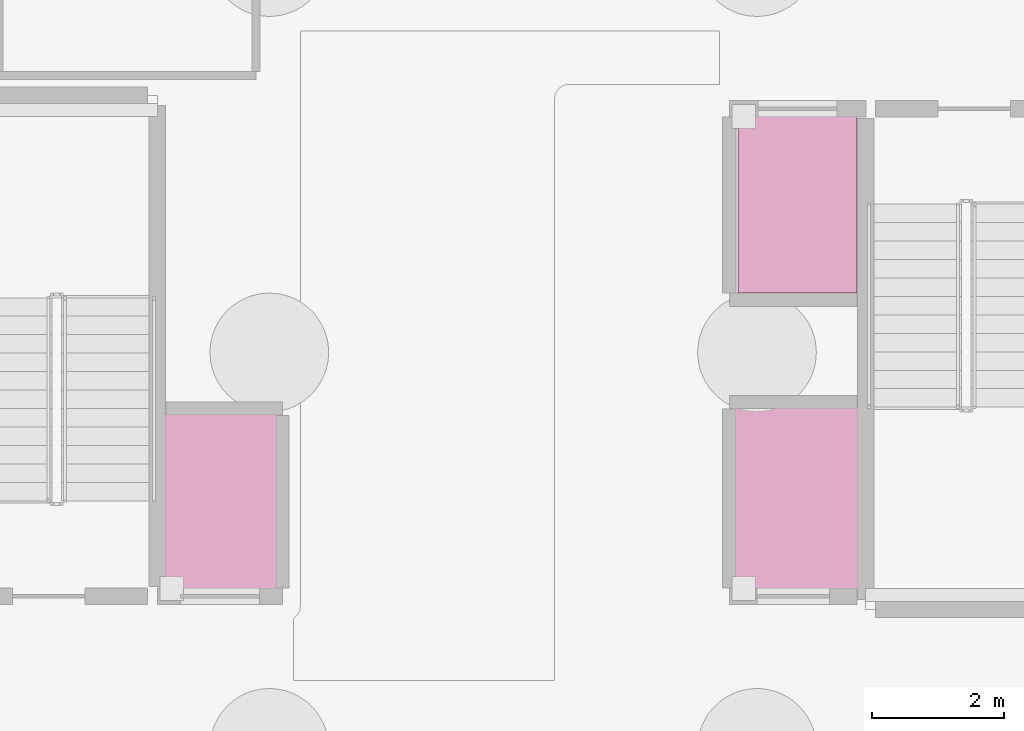
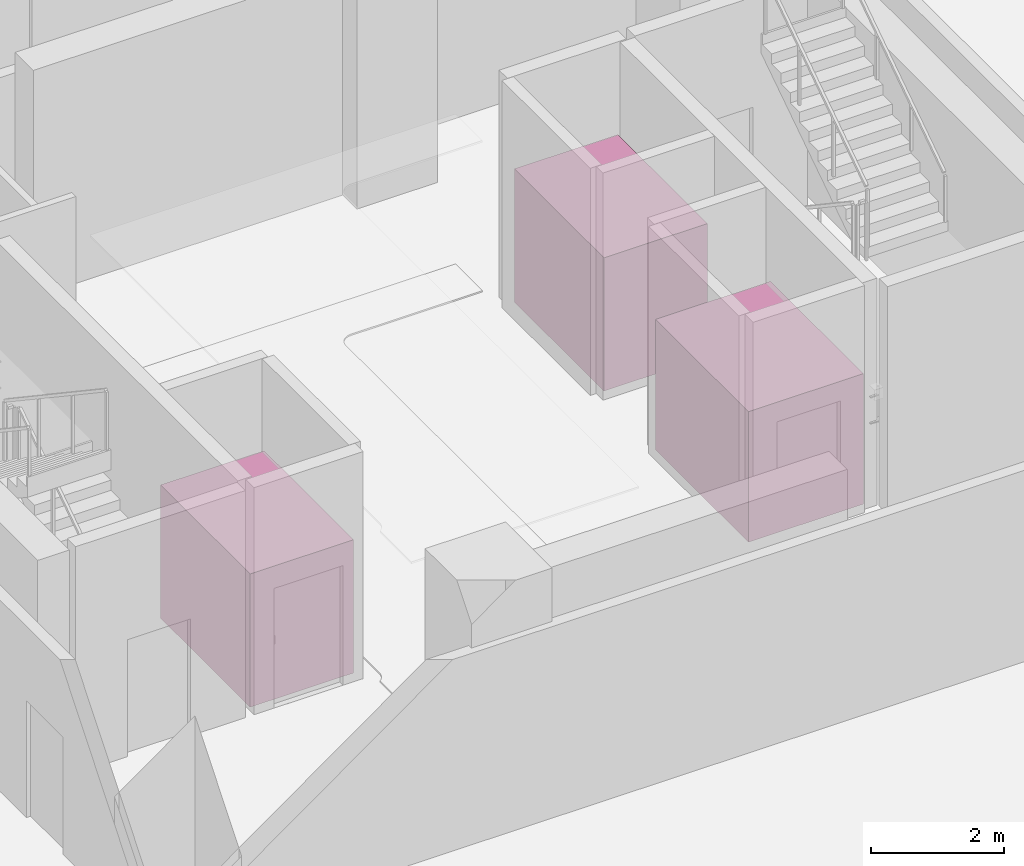
# One storey, part 15 of 15: 3 transport elements.
"""IFC4 building model written with IfcOpenShell, lengths in metres."""

from ifc_helpers import new_model, si_unit, direction, frame, origin, origin_2d, place, context, subcontext, project, spatial, rectangle, extrude, material, type_object, element, save


model = new_model("IFC4")

# Units and contexts
model_context = context("Model", 3, precision=1e-05, world=origin(), true_north=direction((0.0, 1.0)))
body_context = subcontext(model_context, "Body", "Model", "MODEL_VIEW")
ifc_project = project(units=[si_unit("LENGTHUNIT", "METRE"), si_unit("AREAUNIT", "SQUARE_METRE"), si_unit("VOLUMEUNIT", "CUBIC_METRE"), si_unit("PLANEANGLEUNIT", "RADIAN"), si_unit("MASSUNIT", "GRAM", prefix="KILO")], contexts=[model_context])

# Site, building, storey
site_placement = place(None, origin())
site = spatial("IfcSite", under=ifc_project, at=site_placement, CompositionType="ELEMENT")
building_placement = place(site_placement, origin())
building = spatial("IfcBuilding", under=site, at=building_placement, Name="Tharavind Bronze Gate", CompositionType="ELEMENT")
storey_placement = place(building_placement, frame((0.0, 0.0, -9.0)))
storey = spatial("IfcBuildingStorey", under=building, at=storey_placement, Name="B02", CompositionType="ELEMENT", Elevation=-9.0)

# Transport elements
ifc_material_1 = material(Name="Fire-Rated Stainless Steel", Category="steel")
transport_element_type_1 = type_object("IfcTransportElementType", Name="FIREFIGHTING ELEVATOR", PredefinedType="ELEVATOR", material=ifc_material_1)
for number, where, z_axis, x_axis, name in (
    (1, (-4.449951171875, -2.27490234375, 0.0), (0.0, 0.0, 1.0), (1.0, 0.0, 0.0), "Lift FFL1"),
    (2, (4.31494140625, 2.25, 0.0), (0.0, 0.0, 1.0), (1.0, 0.0, 0.0), "Lift FFL2"),
):
    element("IfcTransportElement", number, at=place(storey_placement, frame(where, z_axis=z_axis, x_axis=x_axis)), inside=storey, type_object=transport_element_type_1, Name=name, PredefinedType="ELEVATOR", context=body_context, shape_type="SweptSolid", body=[
        extrude(rectangle(XDim=1.800048828125, YDim=2.699951171875, at=origin_2d()), origin(), (0.0, 0.0, 1.0), 2.449951171875),
    ])
ifc_material_2 = material(Name="Heavy-Duty Brushed Stainless Steel", Category="steel")
transport_element_type_2 = type_object("IfcTransportElementType", Name="GOODS AND SERVICE ELEVATOR", PredefinedType="ELEVATOR", material=ifc_material_2)
transport_element_placement = place(storey_placement, frame((4.31494140625, -2.22509765625, 0.0), z_axis=(0.0, 0.0, 1.0), x_axis=(1.0, 0.0, 0.0)))
element("IfcTransportElement", 3, at=transport_element_placement, inside=storey, type_object=transport_element_type_2, Name="Lift SVL1", PredefinedType="ELEVATOR", context=body_context, shape_type="SweptSolid", body=[
    extrude(rectangle(XDim=2.0, YDim=2.800048828125, at=origin_2d()), origin(), (0.0, 0.0, 1.0), 2.39990234375),
])

save(model, "model.ifc")
